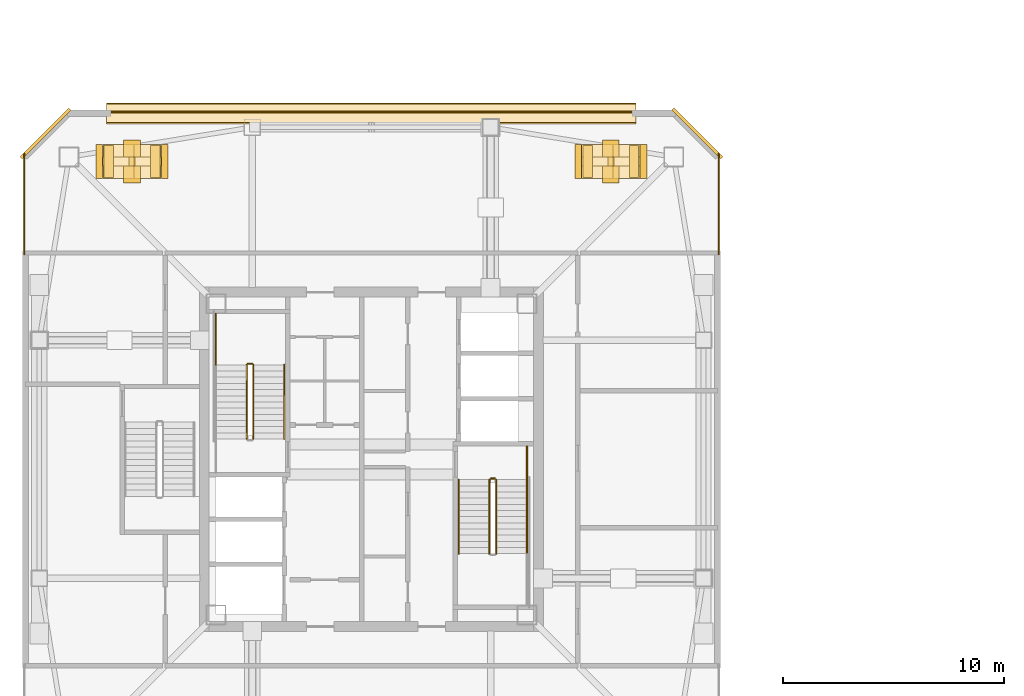
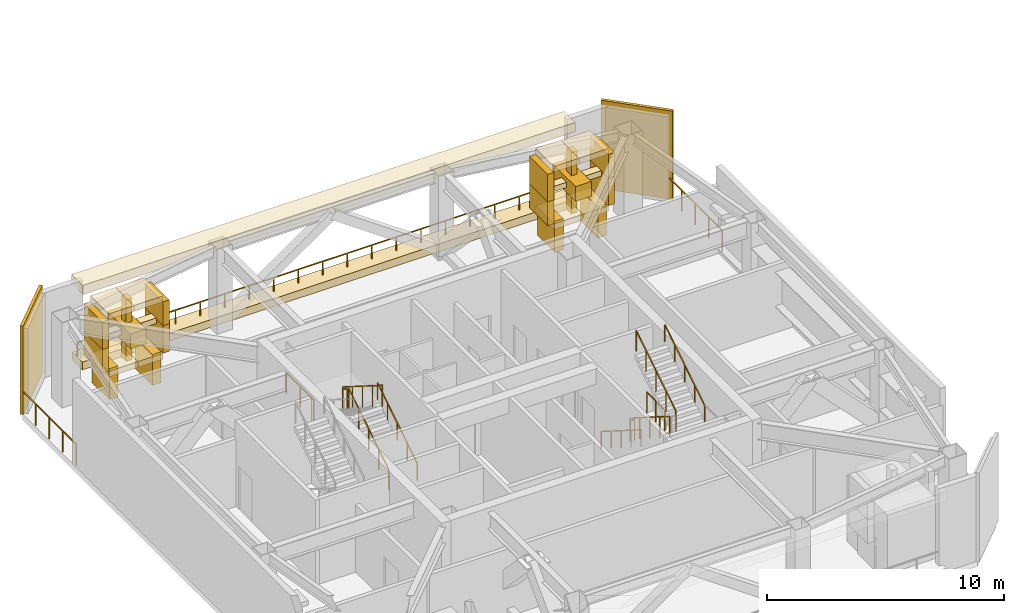
# One storey, part 11 of 15: 30 coverings, 14 railings.
"""IFC4 building model written with IfcOpenShell, lengths in metres."""

from ifc_helpers import new_model, si_unit, direction, frame, origin, origin_2d, place, context, subcontext, project, spatial, rectangle, extrude, material, layer, layer_set, type_object, element, save


model = new_model("IFC4")

# Units and contexts
model_context = context("Model", 3, precision=1e-05, world=origin(), true_north=direction((0.0, 1.0)))
body_context = subcontext(model_context, "Body", "Model", "MODEL_VIEW")
ifc_project = project(units=[si_unit("LENGTHUNIT", "METRE"), si_unit("AREAUNIT", "SQUARE_METRE"), si_unit("VOLUMEUNIT", "CUBIC_METRE"), si_unit("PLANEANGLEUNIT", "RADIAN"), si_unit("MASSUNIT", "GRAM", prefix="KILO")], contexts=[model_context])

# Site, building, storey
site_placement = place(None, origin())
site = spatial("IfcSite", under=ifc_project, at=site_placement, CompositionType="ELEMENT")
building_placement = place(site_placement, origin())
building = spatial("IfcBuilding", under=site, at=building_placement, Name="Tashvorn Skyway Center", CompositionType="ELEMENT")
storey_placement = place(building_placement, frame((0.0, 0.0, 246.800048828125)))
storey = spatial("IfcBuildingStorey", under=building, at=storey_placement, Name="L67", CompositionType="ELEMENT", Elevation=246.800048828125)

# Coverings
ifc_material_1 = material(Name="Perforated ceramic-coated bronze aluminium solar screen", Category="aluminium")
ifc_layer_1 = layer(ifc_material_1, 0.260009765625)
ifc_layer_set_1 = layer_set([ifc_layer_1], Name="Perforated ceramic-coated bronze aluminium solar screen")
covering_type_1 = type_object("IfcCoveringType", Name="COV-CROWN-SCREEN", PredefinedType="CLADDING", material=ifc_layer_set_1)
covering_1_placement = place(storey_placement, frame((29.671875, 45.5, 2.752197265625), z_axis=(0.0, 0.0, 1.0), x_axis=(-1.0, 0.0, 0.0)))
element("IfcCovering", 1, at=covering_1_placement, inside=storey, type_object=covering_type_1, Name="Tower 1 L67 Wind Turbine 3 Venturi Shroud Facet 1", PredefinedType="CLADDING", context=body_context, shape_type="SweptSolid", body=[
    extrude(rectangle(XDim=0.300048828125, YDim=1.550048828125, at=origin_2d()), origin(), (0.0, 0.0, 1.0), 1.419921875),
])
for number, where, z_axis, x_axis, name in (
    (2, (30.53759765625, 45.5, 4.17822265625), (0.0, 0.0, 1.0), (-1.0, 0.0, 0.0), "Tower 1 L67 Wind Turbine 3 Venturi Shroud Facet 2"),
    (3, (31.76220703125, 45.5, 4.17822265625), (0.0, 0.0, 1.0), (-1.0, 0.0, 0.0), "Tower 1 L67 Wind Turbine 3 Venturi Shroud Facet 3"),
):
    element("IfcCovering", number, at=place(storey_placement, frame(where, z_axis=z_axis, x_axis=x_axis)), inside=storey, type_object=covering_type_1, Name=name, PredefinedType="CLADDING", context=body_context, shape_type="SweptSolid", body=[
        extrude(rectangle(XDim=1.419921875, YDim=1.550048828125, at=origin_2d()), origin(), (0.0, 0.0, 1.0), 0.300048828125),
    ])
for number, where, z_axis, x_axis, name in (
    (4, (32.628173828125, 45.5, 2.752197265625), (0.0, 0.0, 1.0), (-1.0, 0.0, 0.0), "Tower 1 L67 Wind Turbine 3 Venturi Shroud Facet 4"),
    (5, (32.628173828125, 45.5, 1.527587890625), (0.0, 0.0, 1.0), (-1.0, 0.0, 0.0), "Tower 1 L67 Wind Turbine 3 Venturi Shroud Facet 5"),
):
    element("IfcCovering", number, at=place(storey_placement, frame(where, z_axis=z_axis, x_axis=x_axis)), inside=storey, type_object=covering_type_1, Name=name, PredefinedType="CLADDING", context=body_context, shape_type="SweptSolid", body=[
        extrude(rectangle(XDim=0.300048828125, YDim=1.550048828125, at=origin_2d()), origin(), (0.0, 0.0, 1.0), 1.419921875),
    ])
for number, where, z_axis, x_axis, name in (
    (6, (31.76220703125, 45.5, 1.2216796875), (0.0, 0.0, 1.0), (-1.0, 0.0, 0.0), "Tower 1 L67 Wind Turbine 3 Venturi Shroud Facet 6"),
    (7, (30.53759765625, 45.5, 1.2216796875), (0.0, 0.0, 1.0), (-1.0, 0.0, 0.0), "Tower 1 L67 Wind Turbine 3 Venturi Shroud Facet 7"),
):
    element("IfcCovering", number, at=place(storey_placement, frame(where, z_axis=z_axis, x_axis=x_axis)), inside=storey, type_object=covering_type_1, Name=name, PredefinedType="CLADDING", context=body_context, shape_type="SweptSolid", body=[
        extrude(rectangle(XDim=1.419921875, YDim=1.550048828125, at=origin_2d()), origin(), (0.0, 0.0, 1.0), 0.300048828125),
    ])
covering_2_placement = place(storey_placement, frame((29.671875, 45.5, 1.527587890625), z_axis=(0.0, 0.0, 1.0), x_axis=(-1.0, 0.0, 0.0)))
element("IfcCovering", 8, at=covering_2_placement, inside=storey, type_object=covering_type_1, Name="Tower 1 L67 Wind Turbine 3 Venturi Shroud Facet 8", PredefinedType="CLADDING", context=body_context, shape_type="SweptSolid", body=[
    extrude(rectangle(XDim=0.300048828125, YDim=1.550048828125, at=origin_2d()), origin(), (0.0, 0.0, 1.0), 1.419921875),
])
covering_3_placement = place(storey_placement, frame((31.14990234375, 45.5, 1.27001953125), z_axis=(0.0, 0.0, 1.0), x_axis=(-1.0, 0.0, 0.0)))
element("IfcCovering", 9, at=covering_3_placement, inside=storey, type_object=covering_type_1, Name="Tower 1 L67 Wind Turbine 3 Vertical Rotor Blades", PredefinedType="CLADDING", context=body_context, shape_type="SweptSolid", body=[
    extrude(rectangle(XDim=0.280029296875, YDim=0.39990234375, at=origin_2d()), origin(), (0.0, 0.0, 1.0), 3.159912109375),
])
covering_4_placement = place(storey_placement, frame((31.14990234375, 45.5, 2.7099609375), z_axis=(0.0, 0.0, 1.0), x_axis=(-1.0, 0.0, 0.0)))
element("IfcCovering", 10, at=covering_4_placement, inside=storey, type_object=covering_type_1, Name="Tower 1 L67 Wind Turbine 3 Horizontal Rotor Blades", PredefinedType="CLADDING", context=body_context, shape_type="SweptSolid", body=[
    extrude(rectangle(XDim=3.159912109375, YDim=0.39990234375, at=origin_2d()), origin(), (0.0, 0.0, 1.0), 0.280029296875),
])
covering_5_placement = place(storey_placement, frame((51.371826171875, 45.5, 2.752197265625), z_axis=(0.0, 0.0, 1.0), x_axis=(-1.0, 0.0, 0.0)))
element("IfcCovering", 11, at=covering_5_placement, inside=storey, type_object=covering_type_1, Name="Tower 1 L67 Wind Turbine 4 Venturi Shroud Facet 1", PredefinedType="CLADDING", context=body_context, shape_type="SweptSolid", body=[
    extrude(rectangle(XDim=0.300048828125, YDim=1.550048828125, at=origin_2d()), origin(), (0.0, 0.0, 1.0), 1.419921875),
])
for number, where, z_axis, x_axis, name in (
    (12, (52.23779296875, 45.5, 4.17822265625), (0.0, 0.0, 1.0), (-1.0, 0.0, 0.0), "Tower 1 L67 Wind Turbine 4 Venturi Shroud Facet 2"),
    (13, (53.46240234375, 45.5, 4.17822265625), (0.0, 0.0, 1.0), (-1.0, 0.0, 0.0), "Tower 1 L67 Wind Turbine 4 Venturi Shroud Facet 3"),
):
    element("IfcCovering", number, at=place(storey_placement, frame(where, z_axis=z_axis, x_axis=x_axis)), inside=storey, type_object=covering_type_1, Name=name, PredefinedType="CLADDING", context=body_context, shape_type="SweptSolid", body=[
        extrude(rectangle(XDim=1.419921875, YDim=1.550048828125, at=origin_2d()), origin(), (0.0, 0.0, 1.0), 0.300048828125),
    ])
for number, where, z_axis, x_axis, name in (
    (14, (54.328125, 45.5, 2.752197265625), (0.0, 0.0, 1.0), (-1.0, 0.0, 0.0), "Tower 1 L67 Wind Turbine 4 Venturi Shroud Facet 4"),
    (15, (54.328125, 45.5, 1.527587890625), (0.0, 0.0, 1.0), (-1.0, 0.0, 0.0), "Tower 1 L67 Wind Turbine 4 Venturi Shroud Facet 5"),
):
    element("IfcCovering", number, at=place(storey_placement, frame(where, z_axis=z_axis, x_axis=x_axis)), inside=storey, type_object=covering_type_1, Name=name, PredefinedType="CLADDING", context=body_context, shape_type="SweptSolid", body=[
        extrude(rectangle(XDim=0.300048828125, YDim=1.550048828125, at=origin_2d()), origin(), (0.0, 0.0, 1.0), 1.419921875),
    ])
for number, where, z_axis, x_axis, name in (
    (16, (53.46240234375, 45.5, 1.2216796875), (0.0, 0.0, 1.0), (-1.0, 0.0, 0.0), "Tower 1 L67 Wind Turbine 4 Venturi Shroud Facet 6"),
    (17, (52.23779296875, 45.5, 1.2216796875), (0.0, 0.0, 1.0), (-1.0, 0.0, 0.0), "Tower 1 L67 Wind Turbine 4 Venturi Shroud Facet 7"),
):
    element("IfcCovering", number, at=place(storey_placement, frame(where, z_axis=z_axis, x_axis=x_axis)), inside=storey, type_object=covering_type_1, Name=name, PredefinedType="CLADDING", context=body_context, shape_type="SweptSolid", body=[
        extrude(rectangle(XDim=1.419921875, YDim=1.550048828125, at=origin_2d()), origin(), (0.0, 0.0, 1.0), 0.300048828125),
    ])
covering_6_placement = place(storey_placement, frame((51.371826171875, 45.5, 1.527587890625), z_axis=(0.0, 0.0, 1.0), x_axis=(-1.0, 0.0, 0.0)))
element("IfcCovering", 18, at=covering_6_placement, inside=storey, type_object=covering_type_1, Name="Tower 1 L67 Wind Turbine 4 Venturi Shroud Facet 8", PredefinedType="CLADDING", context=body_context, shape_type="SweptSolid", body=[
    extrude(rectangle(XDim=0.300048828125, YDim=1.550048828125, at=origin_2d()), origin(), (0.0, 0.0, 1.0), 1.419921875),
])
covering_7_placement = place(storey_placement, frame((52.85009765625, 45.5, 1.27001953125), z_axis=(0.0, 0.0, 1.0), x_axis=(-1.0, 0.0, 0.0)))
element("IfcCovering", 19, at=covering_7_placement, inside=storey, type_object=covering_type_1, Name="Tower 1 L67 Wind Turbine 4 Vertical Rotor Blades", PredefinedType="CLADDING", context=body_context, shape_type="SweptSolid", body=[
    extrude(rectangle(XDim=0.280029296875, YDim=0.39990234375, at=origin_2d()), origin(), (0.0, 0.0, 1.0), 3.159912109375),
])
covering_8_placement = place(storey_placement, frame((52.85009765625, 45.5, 2.7099609375), z_axis=(0.0, 0.0, 1.0), x_axis=(-1.0, 0.0, 0.0)))
element("IfcCovering", 20, at=covering_8_placement, inside=storey, type_object=covering_type_1, Name="Tower 1 L67 Wind Turbine 4 Horizontal Rotor Blades", PredefinedType="CLADDING", context=body_context, shape_type="SweptSolid", body=[
    extrude(rectangle(XDim=3.159912109375, YDim=0.39990234375, at=origin_2d()), origin(), (0.0, 0.0, 1.0), 0.280029296875),
])
ifc_material_2 = material(Name="Precast concrete C40/50", Category="concrete")
ifc_layer_2 = layer(ifc_material_2, 0.35009765625)
ifc_layer_set_2 = layer_set([ifc_layer_2], Name="Precast concrete C40/50")
covering_type_2 = type_object("IfcCoveringType", Name="COV-STONE-TRIM", PredefinedType="CLADDING", material=ifc_layer_set_2)
covering_9_placement = place(storey_placement, frame((42.0, 47.679931640625, 3.89990234375), z_axis=(0.0, 0.0, 1.0), x_axis=(1.0, 0.0, 0.0)))
element("IfcCovering", 21, at=covering_9_placement, inside=storey, type_object=covering_type_2, Name="Tower 1 L67 North Venturi Terracotta Upper Cowl", PredefinedType="CLADDING", context=body_context, shape_type="SweptSolid", body=[
    extrude(rectangle(XDim=24.0, YDim=0.949951171875, at=origin_2d()), origin(), (0.0, 0.0, 1.0), 0.47998046875),
])
covering_10_placement = place(storey_placement, frame((42.0, 47.679931640625, 0.0), z_axis=(0.0, 0.0, 1.0), x_axis=(1.0, 0.0, 0.0)))
element("IfcCovering", 22, at=covering_10_placement, inside=storey, type_object=covering_type_2, Name="Tower 1 L67 North Venturi Limestone Sill Cowl", PredefinedType="CLADDING", context=body_context, shape_type="SweptSolid", body=[
    extrude(rectangle(XDim=24.0, YDim=0.85009765625, at=origin_2d()), origin(), (0.0, 0.0, 1.0), 0.39990234375),
])
for number, where, z_axis, x_axis, name in (
    (23, (27.22998046875, 46.77001953125, 0.02001953125), (0.0, 0.0, 1.0), (-0.707106781187, -0.707106781187, 0.0), "Tower 1 L67 NW Mojave Limestone Corner Quoin"),
    (24, (56.77001953125, 46.77001953125, 0.02001953125), (0.0, 0.0, 1.0), (0.707106781187, -0.707106781187, 0.0), "Tower 1 L67 NE Mojave Limestone Corner Quoin"),
):
    element("IfcCovering", number, at=place(storey_placement, frame(where, z_axis=z_axis, x_axis=x_axis)), inside=storey, type_object=covering_type_2, Name=name, PredefinedType="CLADDING", context=body_context, shape_type="SweptSolid", body=[
        extrude(rectangle(XDim=3.1298828125, YDim=0.139892578125, at=origin_2d()), origin(), (0.0, 0.0, 1.0), 4.56005859375),
    ])
for number, where, z_axis, x_axis, name in (
    (25, (32.199951171875, 45.5, 0.0), (0.0, 0.0, 1.0), (-1.0, 0.0, 0.0), "Tower 1 L67 Wind Turbine 3 Support Cradle 1"),
    (26, (30.10009765625, 45.5, 0.0), (0.0, 0.0, 1.0), (-1.0, 0.0, 0.0), "Tower 1 L67 Wind Turbine 3 Support Cradle 2"),
):
    element("IfcCovering", number, at=place(storey_placement, frame(where, z_axis=z_axis, x_axis=x_axis)), inside=storey, type_object=covering_type_2, Name=name, PredefinedType="CLADDING", context=body_context, shape_type="SweptSolid", body=[
        extrude(rectangle(XDim=0.419921875, YDim=1.449951171875, at=origin_2d()), origin(), (0.0, 0.0, 1.0), 1.60009765625),
    ])
covering_11_placement = place(storey_placement, frame((31.14990234375, 45.5, 2.4697265625), z_axis=(0.0, 0.0, 1.0), x_axis=(-1.0, 0.0, 0.0)))
element("IfcCovering", 27, at=covering_11_placement, inside=storey, type_object=covering_type_2, Name="Tower 1 L67 Wind Turbine 3 Nacelle Hub", PredefinedType="CLADDING", context=body_context, shape_type="SweptSolid", body=[
    extrude(rectangle(XDim=0.760009765625, YDim=1.949951171875, at=origin_2d()), origin(), (0.0, 0.0, 1.0), 0.760009765625),
])
for number, where, z_axis, x_axis, name in (
    (28, (53.89990234375, 45.5, 0.0), (0.0, 0.0, 1.0), (-1.0, 0.0, 0.0), "Tower 1 L67 Wind Turbine 4 Support Cradle 1"),
    (29, (51.800048828125, 45.5, 0.0), (0.0, 0.0, 1.0), (-1.0, 0.0, 0.0), "Tower 1 L67 Wind Turbine 4 Support Cradle 2"),
):
    element("IfcCovering", number, at=place(storey_placement, frame(where, z_axis=z_axis, x_axis=x_axis)), inside=storey, type_object=covering_type_2, Name=name, PredefinedType="CLADDING", context=body_context, shape_type="SweptSolid", body=[
        extrude(rectangle(XDim=0.419921875, YDim=1.449951171875, at=origin_2d()), origin(), (0.0, 0.0, 1.0), 1.60009765625),
    ])
covering_12_placement = place(storey_placement, frame((52.85009765625, 45.5, 2.4697265625), z_axis=(0.0, 0.0, 1.0), x_axis=(-1.0, 0.0, 0.0)))
element("IfcCovering", 30, at=covering_12_placement, inside=storey, type_object=covering_type_2, Name="Tower 1 L67 Wind Turbine 4 Nacelle Hub", PredefinedType="CLADDING", context=body_context, shape_type="SweptSolid", body=[
    extrude(rectangle(XDim=0.760009765625, YDim=1.949951171875, at=origin_2d()), origin(), (0.0, 0.0, 1.0), 0.760009765625),
])

# Railings
ifc_material_3 = material(Name="Galvanized steel S355", Category="steel")
railing_type_1 = type_object("IfcRailingType", Name="RAIL-GUARD-1120", PredefinedType="GUARDRAIL", material=ifc_material_3)
railing_1_placement = place(storey_placement, frame((26.260009765625, 41.2900390625, 0.0)))
element("IfcRailing", 31, at=railing_1_placement, inside=storey, type_object=railing_type_1, Name="L67 Tower 1 L67 Breezeway Guardrail B 01", PredefinedType="GUARDRAIL", context=body_context, shape_type="SweptSolid", body=[
    extrude(rectangle(XDim=0.048095703125, YDim=0.048095703125, at=origin_2d()), frame((0.0, 0.0, 1.09619140625), z_axis=(0.0, 1.0, 0.0), x_axis=(-1.0, 0.0, 0.0)), (0.0, 0.0, 1.0), 4.570068359375),
    extrude(rectangle(XDim=0.0419921875, YDim=0.0419921875, at=origin_2d()), origin(), (0.0, 0.0, 1.0), 1.072021484375),
    extrude(rectangle(XDim=0.0419921875, YDim=0.0419921875, at=origin_2d()), frame((0.0, 1.142578125, 0.0)), (0.0, 0.0, 1.0), 1.072021484375),
    extrude(rectangle(XDim=0.0419921875, YDim=0.0419921875, at=origin_2d()), frame((0.0, 2.28515625, 0.0)), (0.0, 0.0, 1.0), 1.072021484375),
    extrude(rectangle(XDim=0.0419921875, YDim=0.0419921875, at=origin_2d()), frame((0.0, 3.427490234375, 0.0)), (0.0, 0.0, 1.0), 1.072021484375),
    extrude(rectangle(XDim=0.0419921875, YDim=0.0419921875, at=origin_2d()), frame((0.0, 4.570068359375, 0.0)), (0.0, 0.0, 1.0), 1.072021484375),
])
railing_2_placement = place(storey_placement, frame((30.0400390625, 47.739990234375, 0.0)))
element("IfcRailing", 32, at=railing_2_placement, inside=storey, type_object=railing_type_1, Name="L67 Tower 1 L67 Wind Slot Guardrail 01", PredefinedType="GUARDRAIL", context=body_context, shape_type="SweptSolid", body=[
    extrude(rectangle(XDim=0.048095703125, YDim=0.048095703125, at=origin_2d()), frame((0.0, 0.0, 1.09619140625), z_axis=(1.0, 0.0, 0.0), x_axis=(0.0, 1.0, 0.0)), (0.0, 0.0, 1.0), 23.919921875),
    extrude(rectangle(XDim=0.0419921875, YDim=0.0419921875, at=origin_2d()), origin(), (0.0, 0.0, 1.0), 1.072021484375),
    extrude(rectangle(XDim=0.0419921875, YDim=0.0419921875, at=origin_2d()), frame((1.196044921875, 0.0, 0.0)), (0.0, 0.0, 1.0), 1.072021484375),
    extrude(rectangle(XDim=0.0419921875, YDim=0.0419921875, at=origin_2d()), frame((2.39208984375, 0.0, 0.0)), (0.0, 0.0, 1.0), 1.072021484375),
    extrude(rectangle(XDim=0.0419921875, YDim=0.0419921875, at=origin_2d()), frame((3.587890625, 0.0, 0.0)), (0.0, 0.0, 1.0), 1.072021484375),
    extrude(rectangle(XDim=0.0419921875, YDim=0.0419921875, at=origin_2d()), frame((4.783935546875, 0.0, 0.0)), (0.0, 0.0, 1.0), 1.072021484375),
    extrude(rectangle(XDim=0.0419921875, YDim=0.0419921875, at=origin_2d()), frame((5.97998046875, 0.0, 0.0)), (0.0, 0.0, 1.0), 1.072021484375),
    extrude(rectangle(XDim=0.0419921875, YDim=0.0419921875, at=origin_2d()), frame((7.176025390625, 0.0, 0.0)), (0.0, 0.0, 1.0), 1.072021484375),
    extrude(rectangle(XDim=0.0419921875, YDim=0.0419921875, at=origin_2d()), frame((8.3720703125, 0.0, 0.0)), (0.0, 0.0, 1.0), 1.072021484375),
    extrude(rectangle(XDim=0.0419921875, YDim=0.0419921875, at=origin_2d()), frame((9.56787109375, 0.0, 0.0)), (0.0, 0.0, 1.0), 1.072021484375),
    extrude(rectangle(XDim=0.0419921875, YDim=0.0419921875, at=origin_2d()), frame((10.763916015625, 0.0, 0.0)), (0.0, 0.0, 1.0), 1.072021484375),
    extrude(rectangle(XDim=0.0419921875, YDim=0.0419921875, at=origin_2d()), frame((11.9599609375, 0.0, 0.0)), (0.0, 0.0, 1.0), 1.072021484375),
    extrude(rectangle(XDim=0.0419921875, YDim=0.0419921875, at=origin_2d()), frame((13.156005859375, 0.0, 0.0)), (0.0, 0.0, 1.0), 1.072021484375),
    extrude(rectangle(XDim=0.0419921875, YDim=0.0419921875, at=origin_2d()), frame((14.35205078125, 0.0, 0.0)), (0.0, 0.0, 1.0), 1.072021484375),
    extrude(rectangle(XDim=0.0419921875, YDim=0.0419921875, at=origin_2d()), frame((15.5478515625, 0.0, 0.0)), (0.0, 0.0, 1.0), 1.072021484375),
    extrude(rectangle(XDim=0.0419921875, YDim=0.0419921875, at=origin_2d()), frame((16.743896484375, 0.0, 0.0)), (0.0, 0.0, 1.0), 1.072021484375),
    extrude(rectangle(XDim=0.0419921875, YDim=0.0419921875, at=origin_2d()), frame((17.93994140625, 0.0, 0.0)), (0.0, 0.0, 1.0), 1.072021484375),
    extrude(rectangle(XDim=0.0419921875, YDim=0.0419921875, at=origin_2d()), frame((19.135986328125, 0.0, 0.0)), (0.0, 0.0, 1.0), 1.072021484375),
    extrude(rectangle(XDim=0.0419921875, YDim=0.0419921875, at=origin_2d()), frame((20.33203125, 0.0, 0.0)), (0.0, 0.0, 1.0), 1.072021484375),
    extrude(rectangle(XDim=0.0419921875, YDim=0.0419921875, at=origin_2d()), frame((21.52783203125, 0.0, 0.0)), (0.0, 0.0, 1.0), 1.072021484375),
    extrude(rectangle(XDim=0.0419921875, YDim=0.0419921875, at=origin_2d()), frame((22.723876953125, 0.0, 0.0)), (0.0, 0.0, 1.0), 1.072021484375),
    extrude(rectangle(XDim=0.0419921875, YDim=0.0419921875, at=origin_2d()), frame((23.919921875, 0.0, 0.0)), (0.0, 0.0, 1.0), 1.072021484375),
])
railing_3_placement = place(storey_placement, frame((57.739990234375, 45.860107421875, 0.0)))
element("IfcRailing", 33, at=railing_3_placement, inside=storey, type_object=railing_type_1, Name="L67 Tower 1 L67 Breezeway Guardrail A 01", PredefinedType="GUARDRAIL", context=body_context, shape_type="SweptSolid", body=[
    extrude(rectangle(XDim=0.048095703125, YDim=0.048095703125, at=origin_2d()), frame((0.0, 0.0, 1.09619140625), z_axis=(0.0, -1.0, 0.0), x_axis=(1.0, 0.0, 0.0)), (0.0, 0.0, 1.0), 4.570068359375),
    extrude(rectangle(XDim=0.0419921875, YDim=0.0419921875, at=origin_2d()), origin(), (0.0, 0.0, 1.0), 1.072021484375),
    extrude(rectangle(XDim=0.0419921875, YDim=0.0419921875, at=origin_2d()), frame((0.0, -1.142578125, 0.0)), (0.0, 0.0, 1.0), 1.072021484375),
    extrude(rectangle(XDim=0.0419921875, YDim=0.0419921875, at=origin_2d()), frame((0.0, -2.28515625, 0.0)), (0.0, 0.0, 1.0), 1.072021484375),
    extrude(rectangle(XDim=0.0419921875, YDim=0.0419921875, at=origin_2d()), frame((0.0, -3.427490234375, 0.0)), (0.0, 0.0, 1.0), 1.072021484375),
    extrude(rectangle(XDim=0.0419921875, YDim=0.0419921875, at=origin_2d()), frame((0.0, -4.570068359375, 0.0)), (0.0, 0.0, 1.0), 1.072021484375),
])
ifc_material_4 = material(Name="Brushed stainless steel 316", Category="steel")
railing_type_2 = type_object("IfcRailingType", Name="RAIL-HAND-920", PredefinedType="HANDRAIL", material=ifc_material_4)
railing_4_placement = place(storey_placement, frame((38.050048828125, 32.919921875, 0.1767578125)))
element("IfcRailing", 34, at=railing_4_placement, inside=storey, type_object=railing_type_2, Name="L67 ST-T1-1 stair handrail 1", PredefinedType="HANDRAIL", context=body_context, shape_type="SweptSolid", body=[
    extrude(rectangle(XDim=0.048095703125, YDim=0.048095703125, at=origin_2d()), frame((0.0, 0.0, 0.8759765625), z_axis=(0.0, 0.845361898145, 0.534194029511), x_axis=(-1.0, 0.0, 0.0)), (0.0, 0.0, 1.0), 3.974853515625),
    extrude(rectangle(XDim=0.0419921875, YDim=0.0419921875, at=origin_2d()), origin(), (0.0, 0.0, 1.0), 0.851806640625),
    extrude(rectangle(XDim=0.0419921875, YDim=0.0419921875, at=origin_2d()), frame((0.0, 0.840087890625, 0.53076171875)), (0.0, 0.0, 1.0), 0.851806640625),
    extrude(rectangle(XDim=0.0419921875, YDim=0.0419921875, at=origin_2d()), frame((0.0, 1.68017578125, 1.0615234375)), (0.0, 0.0, 1.0), 0.851806640625),
    extrude(rectangle(XDim=0.0419921875, YDim=0.0419921875, at=origin_2d()), frame((0.0, 2.52001953125, 1.592529296875)), (0.0, 0.0, 1.0), 0.851806640625),
    extrude(rectangle(XDim=0.0419921875, YDim=0.0419921875, at=origin_2d()), frame((0.0, 3.360107421875, 2.123291015625)), (0.0, 0.0, 1.0), 0.851806640625),
])
railing_5_placement = place(storey_placement, frame((45.949951171875, 31.080078125, 0.1767578125)))
element("IfcRailing", 35, at=railing_5_placement, inside=storey, type_object=railing_type_2, Name="L67 ST-T1-2 stair handrail 1", PredefinedType="HANDRAIL", context=body_context, shape_type="SweptSolid", body=[
    extrude(rectangle(XDim=0.048095703125, YDim=0.048095703125, at=origin_2d()), frame((0.0, 0.0, 0.8759765625), z_axis=(0.0, -0.845361898145, 0.534194029511), x_axis=(1.0, 0.0, 0.0)), (0.0, 0.0, 1.0), 3.974853515625),
    extrude(rectangle(XDim=0.0419921875, YDim=0.0419921875, at=origin_2d()), origin(), (0.0, 0.0, 1.0), 0.851806640625),
    extrude(rectangle(XDim=0.0419921875, YDim=0.0419921875, at=origin_2d()), frame((0.0, -0.840087890625, 0.53076171875)), (0.0, 0.0, 1.0), 0.851806640625),
    extrude(rectangle(XDim=0.0419921875, YDim=0.0419921875, at=origin_2d()), frame((0.0, -1.68017578125, 1.0615234375)), (0.0, 0.0, 1.0), 0.851806640625),
    extrude(rectangle(XDim=0.0419921875, YDim=0.0419921875, at=origin_2d()), frame((0.0, -2.52001953125, 1.592529296875)), (0.0, 0.0, 1.0), 0.851806640625),
    extrude(rectangle(XDim=0.0419921875, YDim=0.0419921875, at=origin_2d()), frame((0.0, -3.360107421875, 2.123291015625)), (0.0, 0.0, 1.0), 0.851806640625),
])
railing_6_placement = place(storey_placement, frame((49.050048828125, 27.719970703125, 2.476806640625)))
element("IfcRailing", 36, at=railing_6_placement, inside=storey, type_object=railing_type_2, Name="L67 ST-T1-2 stair handrail 2", PredefinedType="HANDRAIL", context=body_context, shape_type="SweptSolid", body=[
    extrude(rectangle(XDim=0.048095703125, YDim=0.048095703125, at=origin_2d()), frame((0.0, 0.0, 0.8759765625), z_axis=(0.0, 0.845389635667, 0.534150132366), x_axis=(-1.0, 0.0, 0.0)), (0.0, 0.0, 1.0), 3.974609375),
    extrude(rectangle(XDim=0.0419921875, YDim=0.0419921875, at=origin_2d()), origin(), (0.0, 0.0, 1.0), 0.851806640625),
    extrude(rectangle(XDim=0.0419921875, YDim=0.0419921875, at=origin_2d()), frame((0.0, 0.840087890625, 0.53076171875)), (0.0, 0.0, 1.0), 0.851806640625),
    extrude(rectangle(XDim=0.0419921875, YDim=0.0419921875, at=origin_2d()), frame((0.0, 1.68017578125, 1.0615234375)), (0.0, 0.0, 1.0), 0.851806640625),
    extrude(rectangle(XDim=0.0419921875, YDim=0.0419921875, at=origin_2d()), frame((0.0, 2.52001953125, 1.59228515625)), (0.0, 0.0, 1.0), 0.851806640625),
    extrude(rectangle(XDim=0.0419921875, YDim=0.0419921875, at=origin_2d()), frame((0.0, 3.360107421875, 2.123046875)), (0.0, 0.0, 1.0), 0.851806640625),
])
ifc_material_5 = material(Name="Painted galvanized steel S355", Category="steel")
railing_type_3 = type_object("IfcRailingType", Name="RAIL-STGUARD-1100", PredefinedType="GUARDRAIL", material=ifc_material_5)
railing_7_placement = place(storey_placement, frame((36.64990234375, 32.919921875, 0.1767578125)))
element("IfcRailing", 37, at=railing_7_placement, inside=storey, type_object=railing_type_3, Name="L67 ST-T1-1 stair guard 1", PredefinedType="GUARDRAIL", context=body_context, shape_type="SweptSolid", body=[
    extrude(rectangle(XDim=0.048095703125, YDim=0.048095703125, at=origin_2d()), frame((0.0, 0.0, 1.076171875), z_axis=(0.0, 0.845361898145, 0.534194029511), x_axis=(-1.0, 0.0, 0.0)), (0.0, 0.0, 1.0), 3.974853515625),
    extrude(rectangle(XDim=0.0419921875, YDim=0.0419921875, at=origin_2d()), origin(), (0.0, 0.0, 1.0), 1.052001953125),
    extrude(rectangle(XDim=0.0419921875, YDim=0.0419921875, at=origin_2d()), frame((0.0, 0.840087890625, 0.53076171875)), (0.0, 0.0, 1.0), 1.052001953125),
    extrude(rectangle(XDim=0.0419921875, YDim=0.0419921875, at=origin_2d()), frame((0.0, 1.68017578125, 1.0615234375)), (0.0, 0.0, 1.0), 1.052001953125),
    extrude(rectangle(XDim=0.0419921875, YDim=0.0419921875, at=origin_2d()), frame((0.0, 2.52001953125, 1.592529296875)), (0.0, 0.0, 1.0), 1.052001953125),
    extrude(rectangle(XDim=0.0419921875, YDim=0.0419921875, at=origin_2d()), frame((0.0, 3.360107421875, 2.123291015625)), (0.0, 0.0, 1.0), 1.052001953125),
])
railing_8_placement = place(storey_placement, frame((36.60009765625, 36.330078125, 2.300048828125)))
element("IfcRailing", 38, at=railing_8_placement, inside=storey, type_object=railing_type_3, Name="L67 ST-T1-1 stair guard 2", PredefinedType="GUARDRAIL", context=body_context, shape_type="SweptSolid", body=[
    extrude(rectangle(XDim=0.048095703125, YDim=0.048095703125, at=origin_2d()), frame((0.0, 0.0, 1.076171875), z_axis=(-1.0, 0.0, 0.0), x_axis=(0.0, -1.0, 0.0)), (0.0, 0.0, 1.0), 0.2001953125),
    extrude(rectangle(XDim=0.0419921875, YDim=0.0419921875, at=origin_2d()), origin(), (0.0, 0.0, 1.0), 1.052001953125),
    extrude(rectangle(XDim=0.0419921875, YDim=0.0419921875, at=origin_2d()), frame((-0.2001953125, 0.0, 0.0)), (0.0, 0.0, 1.0), 1.052001953125),
])
railing_9_placement = place(storey_placement, frame((34.949951171875, 36.280029296875, 2.300048828125)))
element("IfcRailing", 39, at=railing_9_placement, inside=storey, type_object=railing_type_3, Name="L67 ST-T1-1 stair guard 3", PredefinedType="GUARDRAIL", context=body_context, shape_type="SweptSolid", body=[
    extrude(rectangle(XDim=0.048095703125, YDim=0.048095703125, at=origin_2d()), frame((0.0, 0.0, 1.076171875), z_axis=(0.0, 1.0, 0.0), x_axis=(-1.0, 0.0, 0.0)), (0.0, 0.0, 1.0), 2.320068359375),
    extrude(rectangle(XDim=0.0419921875, YDim=0.0419921875, at=origin_2d()), origin(), (0.0, 0.0, 1.0), 1.052001953125),
    extrude(rectangle(XDim=0.0419921875, YDim=0.0419921875, at=origin_2d()), frame((0.0, 1.16015625, 0.0)), (0.0, 0.0, 1.0), 1.052001953125),
    extrude(rectangle(XDim=0.0419921875, YDim=0.0419921875, at=origin_2d()), frame((0.0, 2.320068359375, 0.0)), (0.0, 0.0, 1.0), 1.052001953125),
])
railing_10_placement = place(storey_placement, frame((36.35009765625, 36.280029296875, 2.476806640625)))
element("IfcRailing", 40, at=railing_10_placement, inside=storey, type_object=railing_type_3, Name="L67 ST-T1-1 stair guard 4", PredefinedType="GUARDRAIL", context=body_context, shape_type="SweptSolid", body=[
    extrude(rectangle(XDim=0.048095703125, YDim=0.048095703125, at=origin_2d()), frame((0.0, 0.0, 1.076171875), z_axis=(0.0, -0.845389635667, 0.534150132366), x_axis=(1.0, 0.0, 0.0)), (0.0, 0.0, 1.0), 3.974609375),
    extrude(rectangle(XDim=0.0419921875, YDim=0.0419921875, at=origin_2d()), origin(), (0.0, 0.0, 1.0), 1.052001953125),
    extrude(rectangle(XDim=0.0419921875, YDim=0.0419921875, at=origin_2d()), frame((0.0, -0.840087890625, 0.53076171875)), (0.0, 0.0, 1.0), 1.052001953125),
    extrude(rectangle(XDim=0.0419921875, YDim=0.0419921875, at=origin_2d()), frame((0.0, -1.68017578125, 1.0615234375)), (0.0, 0.0, 1.0), 1.052001953125),
    extrude(rectangle(XDim=0.0419921875, YDim=0.0419921875, at=origin_2d()), frame((0.0, -2.52001953125, 1.59228515625)), (0.0, 0.0, 1.0), 1.052001953125),
    extrude(rectangle(XDim=0.0419921875, YDim=0.0419921875, at=origin_2d()), frame((0.0, -3.360107421875, 2.123046875)), (0.0, 0.0, 1.0), 1.052001953125),
])
railing_11_placement = place(storey_placement, frame((47.35009765625, 31.080078125, 0.1767578125)))
element("IfcRailing", 41, at=railing_11_placement, inside=storey, type_object=railing_type_3, Name="L67 ST-T1-2 stair guard 1", PredefinedType="GUARDRAIL", context=body_context, shape_type="SweptSolid", body=[
    extrude(rectangle(XDim=0.048095703125, YDim=0.048095703125, at=origin_2d()), frame((0.0, 0.0, 1.076171875), z_axis=(0.0, -0.845361898145, 0.534194029511), x_axis=(1.0, 0.0, 0.0)), (0.0, 0.0, 1.0), 3.974853515625),
    extrude(rectangle(XDim=0.0419921875, YDim=0.0419921875, at=origin_2d()), origin(), (0.0, 0.0, 1.0), 1.052001953125),
    extrude(rectangle(XDim=0.0419921875, YDim=0.0419921875, at=origin_2d()), frame((0.0, -0.840087890625, 0.53076171875)), (0.0, 0.0, 1.0), 1.052001953125),
    extrude(rectangle(XDim=0.0419921875, YDim=0.0419921875, at=origin_2d()), frame((0.0, -1.68017578125, 1.0615234375)), (0.0, 0.0, 1.0), 1.052001953125),
    extrude(rectangle(XDim=0.0419921875, YDim=0.0419921875, at=origin_2d()), frame((0.0, -2.52001953125, 1.592529296875)), (0.0, 0.0, 1.0), 1.052001953125),
    extrude(rectangle(XDim=0.0419921875, YDim=0.0419921875, at=origin_2d()), frame((0.0, -3.360107421875, 2.123291015625)), (0.0, 0.0, 1.0), 1.052001953125),
])
railing_12_placement = place(storey_placement, frame((47.64990234375, 27.719970703125, 2.476806640625)))
element("IfcRailing", 42, at=railing_12_placement, inside=storey, type_object=railing_type_3, Name="L67 ST-T1-2 stair guard 4", PredefinedType="GUARDRAIL", context=body_context, shape_type="SweptSolid", body=[
    extrude(rectangle(XDim=0.048095703125, YDim=0.048095703125, at=origin_2d()), frame((0.0, 0.0, 1.076171875), z_axis=(0.0, 0.845389635667, 0.534150132366), x_axis=(-1.0, 0.0, 0.0)), (0.0, 0.0, 1.0), 3.974609375),
    extrude(rectangle(XDim=0.0419921875, YDim=0.0419921875, at=origin_2d()), origin(), (0.0, 0.0, 1.0), 1.052001953125),
    extrude(rectangle(XDim=0.0419921875, YDim=0.0419921875, at=origin_2d()), frame((0.0, 0.840087890625, 0.53076171875)), (0.0, 0.0, 1.0), 1.052001953125),
    extrude(rectangle(XDim=0.0419921875, YDim=0.0419921875, at=origin_2d()), frame((0.0, 1.68017578125, 1.0615234375)), (0.0, 0.0, 1.0), 1.052001953125),
    extrude(rectangle(XDim=0.0419921875, YDim=0.0419921875, at=origin_2d()), frame((0.0, 2.52001953125, 1.59228515625)), (0.0, 0.0, 1.0), 1.052001953125),
    extrude(rectangle(XDim=0.0419921875, YDim=0.0419921875, at=origin_2d()), frame((0.0, 3.360107421875, 2.123046875)), (0.0, 0.0, 1.0), 1.052001953125),
])
railing_13_placement = place(storey_placement, frame((47.39990234375, 31.1298828125, 0.0)))
element("IfcRailing", 43, at=railing_13_placement, inside=storey, type_object=railing_type_3, Name="L67 ST-T1-2 stair guard 5", PredefinedType="GUARDRAIL", context=body_context, shape_type="SweptSolid", body=[
    extrude(rectangle(XDim=0.048095703125, YDim=0.048095703125, at=origin_2d()), frame((0.0, 0.0, 1.076171875), z_axis=(1.0, 0.0, 0.0), x_axis=(0.0, 1.0, 0.0)), (0.0, 0.0, 1.0), 0.2001953125),
    extrude(rectangle(XDim=0.0419921875, YDim=0.0419921875, at=origin_2d()), origin(), (0.0, 0.0, 1.0), 1.052001953125),
    extrude(rectangle(XDim=0.0419921875, YDim=0.0419921875, at=origin_2d()), frame((0.2001953125, 0.0, 0.0)), (0.0, 0.0, 1.0), 1.052001953125),
])
railing_14_placement = place(storey_placement, frame((49.050048828125, 32.60009765625, 0.0)))
element("IfcRailing", 44, at=railing_14_placement, inside=storey, type_object=railing_type_3, Name="L67 ST-T1-2 stair guard 6", PredefinedType="GUARDRAIL", context=body_context, shape_type="SweptSolid", body=[
    extrude(rectangle(XDim=0.048095703125, YDim=0.048095703125, at=origin_2d()), frame((0.0, 0.0, 1.076171875), z_axis=(0.0, -1.0, 0.0), x_axis=(1.0, 0.0, 0.0)), (0.0, 0.0, 1.0), 1.52001953125),
    extrude(rectangle(XDim=0.0419921875, YDim=0.0419921875, at=origin_2d()), origin(), (0.0, 0.0, 1.0), 1.052001953125),
    extrude(rectangle(XDim=0.0419921875, YDim=0.0419921875, at=origin_2d()), frame((0.0, -0.760009765625, 0.0)), (0.0, 0.0, 1.0), 1.052001953125),
    extrude(rectangle(XDim=0.0419921875, YDim=0.0419921875, at=origin_2d()), frame((0.0, -1.52001953125, 0.0)), (0.0, 0.0, 1.0), 1.052001953125),
])

save(model, "model.ifc")
